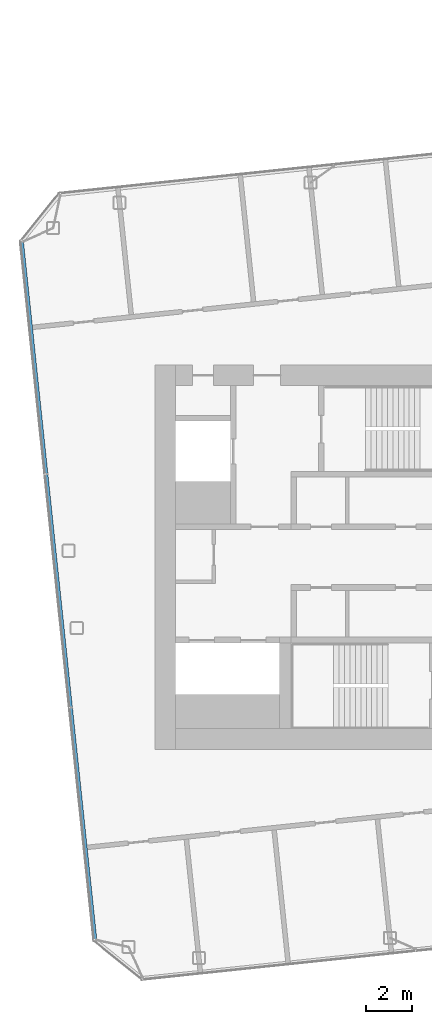
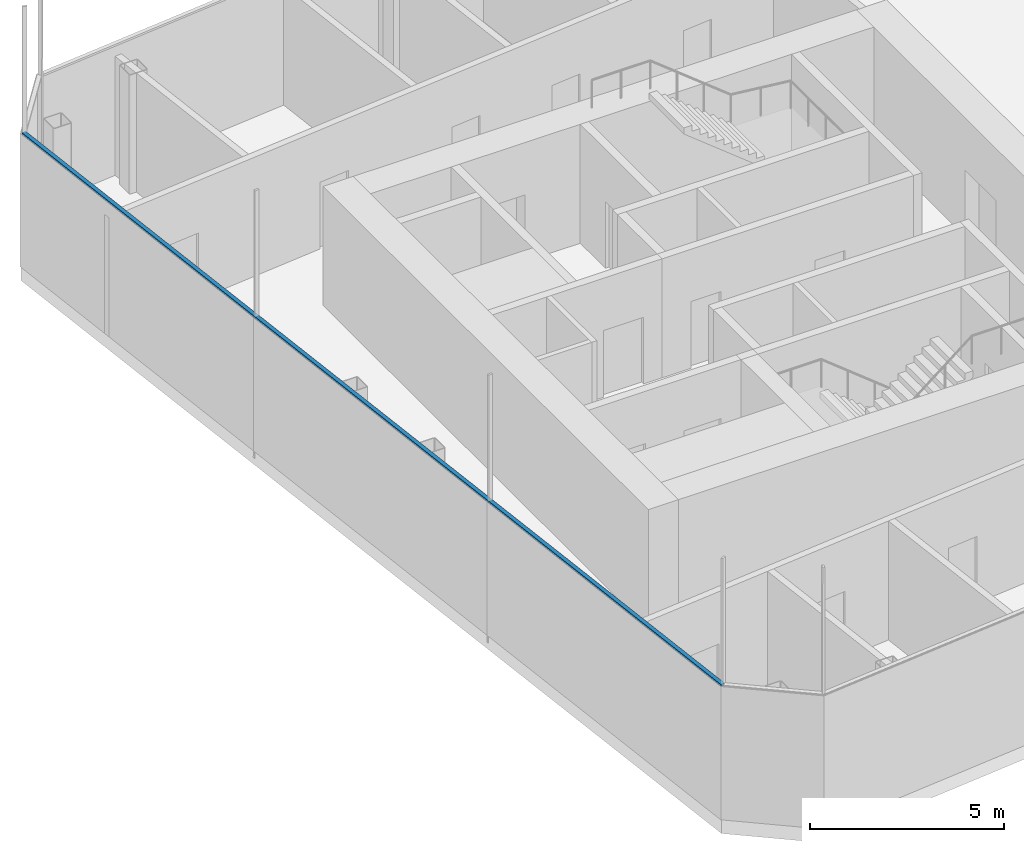
# One storey, part 4 of 41: 1 member, 1 element without a shape of its own.
"""IFC4 building model written with IfcOpenShell, lengths in metres."""

from ifc_helpers import new_model, si_unit, direction, frame, origin, origin_2d, place, context, subcontext, project, spatial, rectangle, extrude, material, layer, layer_set, material_profile, profile_set, type_object, element, aggregate, save


model = new_model("IFC4")

# Units and contexts
model_context = context("Model", 3, precision=1e-05, world=origin(), true_north=direction((0.0, 1.0)))
body_context = subcontext(model_context, "Body", "Model", "MODEL_VIEW")
ifc_project = project(units=[si_unit("LENGTHUNIT", "METRE"), si_unit("AREAUNIT", "SQUARE_METRE"), si_unit("VOLUMEUNIT", "CUBIC_METRE"), si_unit("PLANEANGLEUNIT", "RADIAN"), si_unit("MASSUNIT", "GRAM", prefix="KILO")], contexts=[model_context])

# Site, building, storey
site_placement = place(None, origin())
site = spatial("IfcSite", under=ifc_project, at=site_placement, CompositionType="ELEMENT")
building_placement = place(site_placement, origin())
building = spatial("IfcBuilding", under=site, at=building_placement, Name="Hakoniwa Tower and Hamabe Station Hall", CompositionType="ELEMENT")
storey_placement = place(building_placement, frame((0.0, 0.0, 276.60009765625)))
storey = spatial("IfcBuildingStorey", under=building, at=storey_placement, Name="L77", CompositionType="ELEMENT", Elevation=276.60009765625)

# Curtain wall, member
ifc_material_1 = material(Name="Dark low-e laminated glass", Category="glass")
ifc_layer = layer(ifc_material_1, 0.199951171875)
ifc_layer_set = layer_set([ifc_layer], Name="CW-4 CROWN FACETS")
curtain_wall_type = type_object("IfcCurtainWallType", Name="CW-4 CROWN FACETS", PredefinedType="NOTDEFINED", material=ifc_layer_set)
curtain_wall_placement = place(storey_placement, origin())
curtain_wall = element("IfcCurtainWall", 1, at=curtain_wall_placement, inside=storey, type_object=curtain_wall_type, Name="Crown skirt facet L77", PredefinedType="NOTDEFINED")
ifc_material_2 = material(Name="Aluminium 6063-T5 black anodised", Category="aluminium")
ifc_material_profile = material_profile(ifc_material_2, rectangle(XDim=0.06005859375, YDim=0.1201171875, at=origin_2d()), Name="CW-4 GLAZING BAR 60X120")
ifc_profile_set = profile_set([ifc_material_profile], Name="Aluminium 6063-T5 black anodised")
member_type = type_object("IfcMemberType", Name="CW-4 GLAZING BAR 60X120", PredefinedType="MULLION", material=ifc_profile_set)
member_placement = place(storey_placement, frame((-39.406494140625, 13.795654296875, 4.199951171875), z_axis=(0.104524194202, -0.994522344056, 0.0), x_axis=(0.0, 0.0, 1.0)))
member = element("IfcMember", 2, at=member_placement, type_object=member_type, Name="Crown glazing bar", PredefinedType="MULLION", context=body_context, shape_type="SweptSolid", body=[
    extrude(rectangle(XDim=0.06005859375, YDim=0.1201171875, at=origin_2d()), origin(), (0.0, 0.0, 1.0), 30.70556640625),
])
aggregate(curtain_wall, [member])

save(model, "model.ifc")
